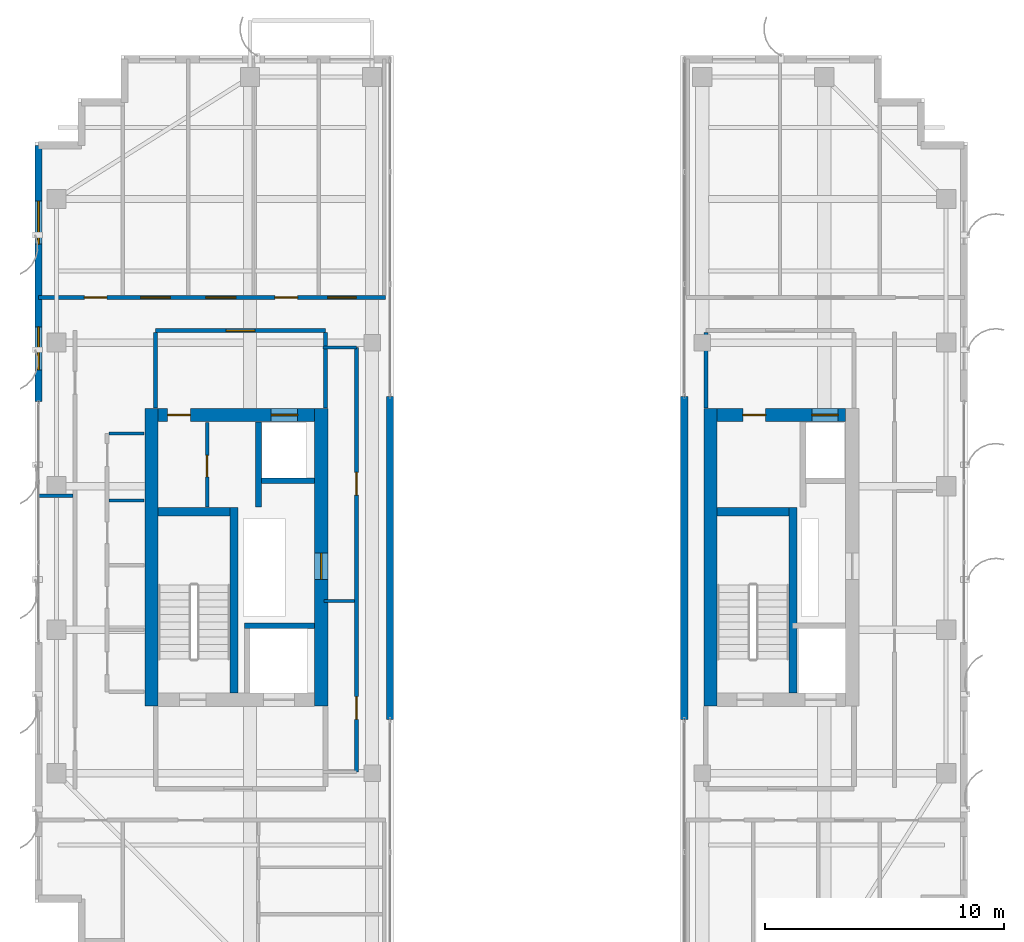
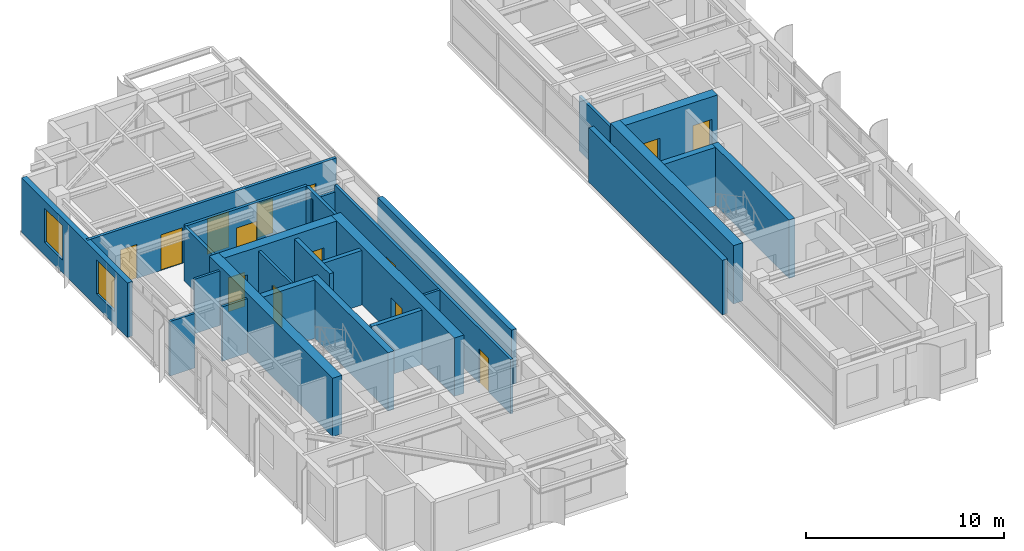
# One storey, part 18 of 22: 27 walls, 14 doors, 2 windows, 16 openings.
"""IFC4 building model written with IfcOpenShell, lengths in metres."""

from ifc_helpers import new_model, si_unit, direction, frame, frame_2d, origin, place, context, subcontext, project, spatial, rectangle, extrude, source, transform, mapped, material, layer, layer_set, type_object, element, fill, save


model = new_model("IFC4")

# Units and contexts
model_context = context("Model", 3, precision=1e-05, world=origin(), true_north=direction((0.0, 1.0)))
body_context = subcontext(model_context, "Body", "Model", "MODEL_VIEW")
ifc_project = project(units=[si_unit("LENGTHUNIT", "METRE"), si_unit("AREAUNIT", "SQUARE_METRE"), si_unit("VOLUMEUNIT", "CUBIC_METRE"), si_unit("PLANEANGLEUNIT", "RADIAN"), si_unit("MASSUNIT", "GRAM", prefix="KILO")], contexts=[model_context])

# Site, building, storey
site_placement = place(None, origin())
site = spatial("IfcSite", under=ifc_project, at=site_placement, CompositionType="ELEMENT")
building_placement = place(site_placement, origin())
building = spatial("IfcBuilding", under=site, at=building_placement, Name="Khoralis Quay Care Tower", CompositionType="ELEMENT")
storey_placement = place(building_placement, frame((0.0, 0.0, 256.5)))
storey = spatial("IfcBuildingStorey", under=building, at=storey_placement, Name="L67", CompositionType="ELEMENT", Elevation=256.5)

# Wall
ifc_material_1 = material(Name="Concrete C65/80", Category="concrete")
ifc_layer_1 = layer(ifc_material_1, 0.550048828125)
ifc_layer_set_1 = layer_set([ifc_layer_1], Name="Concrete C65/80")
wall_type_1 = type_object("IfcWallType", Name="WL-CORE-550", PredefinedType="SHEAR", material=ifc_layer_set_1)
wall_1_placement = place(storey_placement, frame((7.875, 14.800048828125, 0.0), z_axis=(0.0, 0.0, 1.0), x_axis=(0.0, 1.0, 0.0)))
element("IfcWall", 1, at=wall_1_placement, inside=storey, type_object=wall_type_1, Name="L67 WCORE West Shear Wall", PredefinedType="SHEAR", context=body_context, shape_type="SweptSolid", body=[
    extrude(rectangle(XDim=12.449951171875, YDim=0.550048828125, at=frame_2d((6.22509765625, 0.0))), origin(), (0.0, 0.0, 1.0), 3.60009765625),
])

# Wall, opening, door
wall_2_placement = place(storey_placement, frame((14.97509765625, 14.800048828125, 0.0), z_axis=(0.0, 0.0, 1.0), x_axis=(0.0, 1.0, 0.0)))
wall_2 = element("IfcWall", 2, at=wall_2_placement, inside=storey, type_object=wall_type_1, Name="L67 WCORE East Shear Wall", PredefinedType="SHEAR", context=body_context, shape_type="SweptSolid", body=[
    extrude(rectangle(XDim=12.449951171875, YDim=0.550048828125, at=frame_2d((6.22509765625, 0.0))), origin(), (0.0, 0.0, 1.0), 3.60009765625),
])
opening_1_placement = place(wall_2_placement, frame((5.300048828125, 0.0, 0.0)))
opening_1 = element("IfcOpeningElement", 3, at=opening_1_placement, cuts=wall_2, Name="Opening SD1", PredefinedType="OPENING", context=body_context, shape_type="SweptSolid", body=[
    extrude(rectangle(XDim=1.10009765625, YDim=2.199951171875, at=frame_2d((0.550048828125, 1.10009765625))), frame((0.0, 0.28515625, 0.0), z_axis=(0.0, -1.0, 0.0), x_axis=(1.0, 0.0, 0.0)), (0.0, 0.0, 1.0), 0.570068359375),
])
ifc_material_2 = material(Name="Fire-rated painted steel", Category="steel")
door_type_1 = type_object("IfcDoorType", Name="DR-STAIR-1100X2200", OperationType="NOTDEFINED", PredefinedType="DOOR", material=ifc_material_2)
shared_shape_1 = source(origin(), body_context, "Body", "SweptSolid", [
    extrude(rectangle(XDim=1.10009765625, YDim=2.199951171875, at=frame_2d((0.550048828125, 1.10009765625))), frame((0.0, 0.02490234375, 0.0), z_axis=(0.0, -1.0, 0.0), x_axis=(1.0, 0.0, 0.0)), (0.0, 0.0, 1.0), 0.050048828125),
])
door_1_placement = place(opening_1_placement, origin())
door_1 = element("IfcDoor", 4, at=door_1_placement, inside=storey, type_object=door_type_1, Name="L67 West MEP Riser Door", OperationType="SINGLE_SWING_LEFT", OverallHeight=2.199951171875, OverallWidth=1.10009765625, PredefinedType="DOOR", context=body_context, shape_type="MappedRepresentation", body=[
    mapped(shared_shape_1, transform((0.0, 0.0, 0.0), scale=1.0)),
])
fill(opening_1, door_1)

# Wall, openings, doors
wall_3_placement = place(storey_placement, frame((8.14990234375, 26.97509765625, 0.0), z_axis=(0.0, 0.0, 1.0), x_axis=(1.0, 0.0, 0.0)))
wall_3 = element("IfcWall", 5, at=wall_3_placement, inside=storey, type_object=wall_type_1, Name="L67 WCORE North Shear Wall", PredefinedType="SHEAR", context=body_context, shape_type="SweptSolid", body=[
    extrude(rectangle(XDim=6.550048828125, YDim=0.550048828125, at=frame_2d((3.27490234375, 0.0))), origin(), (0.0, 0.0, 1.0), 3.60009765625),
])
opening_2_placement = place(wall_3_placement, frame((0.39990234375, 0.0, 0.0)))
opening_2 = element("IfcOpeningElement", 6, at=opening_2_placement, cuts=wall_3, Name="Opening ID1", PredefinedType="OPENING", context=body_context, shape_type="SweptSolid", body=[
    extrude(rectangle(XDim=0.949951171875, YDim=2.10009765625, at=frame_2d((0.47509765625, 1.050048828125))), frame((0.0, 0.28515625, 0.0), z_axis=(0.0, -1.0, 0.0), x_axis=(1.0, 0.0, 0.0)), (0.0, 0.0, 1.0), 0.570068359375),
])
opening_3_placement = place(wall_3_placement, frame((4.72998046875, 0.0, 0.0)))
opening_3 = element("IfcOpeningElement", 7, at=opening_3_placement, cuts=wall_3, Name="Opening LD1", PredefinedType="OPENING", context=body_context, shape_type="SweptSolid", body=[
    extrude(rectangle(XDim=1.10009765625, YDim=2.199951171875, at=frame_2d((0.550048828125, 1.10009765625))), frame((0.0, 0.28515625, 0.0), z_axis=(0.0, -1.0, 0.0), x_axis=(1.0, 0.0, 0.0)), (0.0, 0.0, 1.0), 0.570068359375),
])
ifc_material_3 = material(Name="Brushed stainless steel", Category="steel")
door_type_2 = type_object("IfcDoorType", Name="DR-LIFT-1100X2200", OperationType="SLIDING_TO_LEFT", PredefinedType="DOOR", material=ifc_material_3)
shared_shape_2 = source(origin(), body_context, "Body", "SweptSolid", [
    extrude(rectangle(XDim=1.10009765625, YDim=2.199951171875, at=frame_2d((0.550048828125, 1.10009765625))), frame((0.0, 0.02490234375, 0.0), z_axis=(0.0, -1.0, 0.0), x_axis=(1.0, 0.0, 0.0)), (0.0, 0.0, 1.0), 0.050048828125),
])
door_2_placement = place(opening_3_placement, origin())
door_2 = element("IfcDoor", 8, at=door_2_placement, inside=storey, type_object=door_type_2, Name="L67 Lift PLH1 Landing Door", OperationType="SLIDING_TO_LEFT", OverallHeight=2.199951171875, OverallWidth=1.10009765625, PredefinedType="DOOR", context=body_context, shape_type="MappedRepresentation", body=[
    mapped(shared_shape_2, transform((0.0, 0.0, 0.0), scale=1.0)),
])
fill(opening_3, door_2)
ifc_material_4 = material(Name="Acoustic hardwood timber", Category="wood")
door_type_3 = type_object("IfcDoorType", Name="DR-ROOM-950X2100", OperationType="NOTDEFINED", PredefinedType="DOOR", material=ifc_material_4)
shared_shape_3 = source(origin(), body_context, "Body", "SweptSolid", [
    extrude(rectangle(XDim=0.949951171875, YDim=2.10009765625, at=frame_2d((0.47509765625, 1.050048828125))), frame((0.0, 0.02490234375, 0.0), z_axis=(0.0, -1.0, 0.0), x_axis=(1.0, 0.0, 0.0)), (0.0, 0.0, 1.0), 0.050048828125),
])
door_3_placement = place(opening_2_placement, frame((0.949951171875, 0.0, 0.0), z_axis=(0.0, 0.0, 1.0), x_axis=(-1.0, 0.0, 0.0)))
door_3 = element("IfcDoor", 9, at=door_3_placement, inside=storey, type_object=door_type_3, Name="L67 Telemetry Study Door", OperationType="SINGLE_SWING_LEFT", OverallHeight=2.10009765625, OverallWidth=0.949951171875, PredefinedType="DOOR", context=body_context, shape_type="MappedRepresentation", body=[
    mapped(shared_shape_3, transform((0.0, 0.0, 0.0), scale=1.0)),
])
fill(opening_2, door_3)

# Wall
wall_4_placement = place(storey_placement, frame((31.2451171875, 14.800048828125, 0.0), z_axis=(0.0, 0.0, 1.0), x_axis=(0.0, 1.0, 0.0)))
element("IfcWall", 10, at=wall_4_placement, inside=storey, type_object=wall_type_1, Name="L67 ECORE West Shear Wall", PredefinedType="SHEAR", context=body_context, shape_type="SweptSolid", body=[
    extrude(rectangle(XDim=12.449951171875, YDim=0.550048828125, at=frame_2d((6.22509765625, 0.0))), origin(), (0.0, 0.0, 1.0), 3.60009765625),
])

# Wall, openings, doors
wall_5_placement = place(storey_placement, frame((31.52001953125, 26.97509765625, 0.0), z_axis=(0.0, 0.0, 1.0), x_axis=(1.0, 0.0, 0.0)))
wall_5 = element("IfcWall", 11, at=wall_5_placement, inside=storey, type_object=wall_type_1, Name="L67 ECORE North Shear Wall", PredefinedType="SHEAR", context=body_context, shape_type="SweptSolid", body=[
    extrude(rectangle(XDim=5.3798828125, YDim=0.550048828125, at=frame_2d((2.68994140625, 0.0))), origin(), (0.0, 0.0, 1.0), 3.60009765625),
])
opening_4_placement = place(wall_5_placement, frame((1.080078125, 0.0, 0.0)))
opening_4 = element("IfcOpeningElement", 12, at=opening_4_placement, cuts=wall_5, Name="Opening ID1", PredefinedType="OPENING", context=body_context, shape_type="SweptSolid", body=[
    extrude(rectangle(XDim=0.949951171875, YDim=2.10009765625, at=frame_2d((0.47509765625, 1.050048828125))), frame((0.0, 0.28515625, 0.0), z_axis=(0.0, -1.0, 0.0), x_axis=(1.0, 0.0, 0.0)), (0.0, 0.0, 1.0), 0.570068359375),
])
opening_5_placement = place(wall_5_placement, frame((3.9599609375, 0.0, 0.0)))
opening_5 = element("IfcOpeningElement", 13, at=opening_5_placement, cuts=wall_5, Name="Opening LD1", PredefinedType="OPENING", context=body_context, shape_type="SweptSolid", body=[
    extrude(rectangle(XDim=1.10009765625, YDim=2.199951171875, at=frame_2d((0.550048828125, 1.10009765625))), frame((0.0, 0.28515625, 0.0), z_axis=(0.0, -1.0, 0.0), x_axis=(1.0, 0.0, 0.0)), (0.0, 0.0, 1.0), 0.570068359375),
])
door_4_placement = place(opening_5_placement, origin())
door_4 = element("IfcDoor", 14, at=door_4_placement, inside=storey, type_object=door_type_2, Name="L67 Lift PLH2 Landing Door", OperationType="SLIDING_TO_LEFT", OverallHeight=2.199951171875, OverallWidth=1.10009765625, PredefinedType="DOOR", context=body_context, shape_type="MappedRepresentation", body=[
    mapped(shared_shape_2, transform((0.0, 0.0, 0.0), scale=1.0)),
])
fill(opening_5, door_4)
door_5_placement = place(opening_4_placement, frame((0.949951171875, 0.0, 0.0), z_axis=(0.0, 0.0, 1.0), x_axis=(-1.0, 0.0, 0.0)))
door_5 = element("IfcDoor", 15, at=door_5_placement, inside=storey, type_object=door_type_3, Name="L67 Rehab Gym Door", OperationType="SINGLE_SWING_RIGHT", OverallHeight=2.10009765625, OverallWidth=0.949951171875, PredefinedType="DOOR", context=body_context, shape_type="MappedRepresentation", body=[
    mapped(shared_shape_3, transform((0.0, 0.0, 0.0), scale=1.0)),
])
fill(opening_4, door_5)

# Wall, opening, door
ifc_material_5 = material(Name="Gypsum plasterboard on acoustic metal stud")
ifc_layer_2 = layer(ifc_material_5, 0.1650390625)
ifc_layer_set_2 = layer_set([ifc_layer_2], Name="Gypsum plasterboard on acoustic metal stud")
wall_type_2 = type_object("IfcWallType", Name="WL-CORR-165", PredefinedType="PARTITIONING", material=ifc_layer_set_2)
wall_6_placement = place(storey_placement, frame((8.050048828125, 30.5, 0.0), z_axis=(0.0, 0.0, 1.0), x_axis=(1.0, 0.0, 0.0)))
wall_6 = element("IfcWall", 16, at=wall_6_placement, inside=storey, type_object=wall_type_2, Name="L67 West Lift Lobby North Wall", PredefinedType="PARTITIONING", context=body_context, shape_type="SweptSolid", body=[
    extrude(rectangle(XDim=7.099853515625, YDim=0.1650390625, at=frame_2d((3.5498046875, 0.0))), origin(), (0.0, 0.0, 1.0), 3.360107421875),
])
opening_6_placement = place(wall_6_placement, frame((2.949951171875, 0.0, 0.0)))
opening_6 = element("IfcOpeningElement", 17, at=opening_6_placement, cuts=wall_6, Name="Opening FD1", PredefinedType="OPENING", context=body_context, shape_type="SweptSolid", body=[
    extrude(rectangle(XDim=1.199951171875, YDim=2.199951171875, at=frame_2d((0.60009765625, 1.10009765625))), frame((0.0, 0.092529296875, 0.0), z_axis=(0.0, -1.0, 0.0), x_axis=(1.0, 0.0, 0.0)), (0.0, 0.0, 1.0), 0.18505859375),
])
door_type_4 = type_object("IfcDoorType", Name="DR-FFL-1200X2200", OperationType="NOTDEFINED", PredefinedType="DOOR", material=ifc_material_2)
shared_shape_4 = source(origin(), body_context, "Body", "SweptSolid", [
    extrude(rectangle(XDim=1.199951171875, YDim=2.199951171875, at=frame_2d((0.60009765625, 1.10009765625))), frame((0.0, 0.02490234375, 0.0), z_axis=(0.0, -1.0, 0.0), x_axis=(1.0, 0.0, 0.0)), (0.0, 0.0, 1.0), 0.050048828125),
])
door_6_placement = place(opening_6_placement, origin())
door_6 = element("IfcDoor", 18, at=door_6_placement, inside=storey, type_object=door_type_4, Name="L67 West Lift Lobby Double Door", OperationType="DOUBLE_DOOR_SINGLE_SWING", OverallHeight=2.199951171875, OverallWidth=1.199951171875, PredefinedType="DOOR", context=body_context, shape_type="MappedRepresentation", body=[
    mapped(shared_shape_4, transform((0.0, 0.0, 0.0), scale=1.0)),
])
fill(opening_6, door_6)

# Walls
for number, where, z_axis, x_axis, name in (
    (19, (8.050048828125, 27.27001953125, 0.0), (0.0, 0.0, 1.0), (0.0, 1.0, 0.0), "L67 West Lift Lobby West Wall"),
    (20, (15.14990234375, 27.27001953125, 0.0), (0.0, 0.0, 1.0), (0.0, 1.0, 0.0), "L67 West Lift Lobby East Wall"),
    (21, (31.050048828125, 27.27001953125, 0.0), (0.0, 0.0, 1.0), (0.0, 1.0, 0.0), "L67 East Lift Lobby West Wall"),
):
    element("IfcWall", number, at=place(storey_placement, frame(where, z_axis=z_axis, x_axis=x_axis)), inside=storey, type_object=wall_type_2, Name=name, PredefinedType="PARTITIONING", context=body_context, shape_type="SweptSolid", body=[
        extrude(rectangle(XDim=3.152587890625, YDim=0.1650390625, at=frame_2d((1.576171875, 0.0))), origin(), (0.0, 0.0, 1.0), 3.360107421875),
    ])

# Wall, openings, doors
wall_7_placement = place(storey_placement, frame((3.14501953125, 31.889892578125, 0.0), z_axis=(0.0, 0.0, 1.0), x_axis=(1.0, 0.0, 0.0)))
wall_7 = element("IfcWall", 22, at=wall_7_placement, inside=storey, type_object=wall_type_2, Name="L67 West Wing North Corridor Wall", PredefinedType="PARTITIONING", context=body_context, shape_type="SweptSolid", body=[
    extrude(rectangle(XDim=14.5048828125, YDim=0.1650390625, at=frame_2d((7.25244140625, 0.0))), origin(), (0.0, 0.0, 1.0), 3.360107421875),
])
opening_7_placement = place(wall_7_placement, frame((4.27490234375, 0.0, 0.0)))
opening_7 = element("IfcOpeningElement", 23, at=opening_7_placement, cuts=wall_7, Name="Opening CD1", PredefinedType="OPENING", context=body_context, shape_type="SweptSolid", body=[
    extrude(rectangle(XDim=1.25, YDim=2.199951171875, at=frame_2d((0.625, 1.10009765625))), frame((0.0, 0.092529296875, 0.0), z_axis=(0.0, -1.0, 0.0), x_axis=(1.0, 0.0, 0.0)), (0.0, 0.0, 1.0), 0.18505859375),
])
opening_8_placement = place(wall_7_placement, frame((7.0048828125, 0.0, 0.0)))
opening_8 = element("IfcOpeningElement", 24, at=opening_8_placement, cuts=wall_7, Name="Opening CD1", PredefinedType="OPENING", context=body_context, shape_type="SweptSolid", body=[
    extrude(rectangle(XDim=1.25, YDim=2.199951171875, at=frame_2d((0.625, 1.10009765625))), frame((0.0, 0.092529296875, 0.0), z_axis=(0.0, -1.0, 0.0), x_axis=(1.0, 0.0, 0.0)), (0.0, 0.0, 1.0), 0.18505859375),
])
opening_9_placement = place(wall_7_placement, frame((9.885009765625, 0.0, 0.0)))
opening_9 = element("IfcOpeningElement", 25, at=opening_9_placement, cuts=wall_7, Name="Opening ID1", PredefinedType="OPENING", context=body_context, shape_type="SweptSolid", body=[
    extrude(rectangle(XDim=0.949951171875, YDim=2.10009765625, at=frame_2d((0.47509765625, 1.050048828125))), frame((0.0, 0.092529296875, 0.0), z_axis=(0.0, -1.0, 0.0), x_axis=(1.0, 0.0, 0.0)), (0.0, 0.0, 1.0), 0.18505859375),
])
opening_10_placement = place(wall_7_placement, frame((12.090087890625, 0.0, 0.0)))
opening_10 = element("IfcOpeningElement", 26, at=opening_10_placement, cuts=wall_7, Name="Opening FD1", PredefinedType="OPENING", context=body_context, shape_type="SweptSolid", body=[
    extrude(rectangle(XDim=1.199951171875, YDim=2.199951171875, at=frame_2d((0.60009765625, 1.10009765625))), frame((0.0, 0.092529296875, 0.0), z_axis=(0.0, -1.0, 0.0), x_axis=(1.0, 0.0, 0.0)), (0.0, 0.0, 1.0), 0.18505859375),
])
opening_11_placement = place(wall_7_placement, frame((1.919921875, 0.0, 0.0)))
opening_11 = element("IfcOpeningElement", 27, at=opening_11_placement, cuts=wall_7, Name="Opening ID1", PredefinedType="OPENING", context=body_context, shape_type="SweptSolid", body=[
    extrude(rectangle(XDim=0.949951171875, YDim=2.10009765625, at=frame_2d((0.47509765625, 1.050048828125))), frame((0.0, 0.092529296875, 0.0), z_axis=(0.0, -1.0, 0.0), x_axis=(1.0, 0.0, 0.0)), (0.0, 0.0, 1.0), 0.18505859375),
])
door_7_placement = place(opening_10_placement, origin())
door_7 = element("IfcDoor", 28, at=door_7_placement, inside=storey, type_object=door_type_4, Name="L67 Resident Communal Day Lounge Door", OperationType="DOUBLE_DOOR_SINGLE_SWING", OverallHeight=2.199951171875, OverallWidth=1.199951171875, PredefinedType="DOOR", context=body_context, shape_type="MappedRepresentation", body=[
    mapped(shared_shape_4, transform((0.0, 0.0, 0.0), scale=1.0)),
])
fill(opening_10, door_7)
door_type_5 = type_object("IfcDoorType", Name="DR-CARE-1250X2200", OperationType="NOTDEFINED", PredefinedType="DOOR", material=ifc_material_4)
shared_shape_5 = source(origin(), body_context, "Body", "SweptSolid", [
    extrude(rectangle(XDim=1.25, YDim=2.199951171875, at=frame_2d((0.625, 1.10009765625))), frame((0.0, 0.02490234375, 0.0), z_axis=(0.0, -1.0, 0.0), x_axis=(1.0, 0.0, 0.0)), (0.0, 0.0, 1.0), 0.050048828125),
])
door_8_placement = place(opening_7_placement, origin())
door_8 = element("IfcDoor", 29, at=door_8_placement, inside=storey, type_object=door_type_5, Name="L67 Geriatric Consultation Clinic Door", OperationType="SINGLE_SWING_RIGHT", OverallHeight=2.199951171875, OverallWidth=1.25, PredefinedType="DOOR", context=body_context, shape_type="MappedRepresentation", body=[
    mapped(shared_shape_5, transform((0.0, 0.0, 0.0), scale=1.0)),
])
fill(opening_7, door_8)
door_9_placement = place(opening_8_placement, origin())
door_9 = element("IfcDoor", 30, at=door_9_placement, inside=storey, type_object=door_type_5, Name="L67 Physiotherapy Treatment Clinic Door", OperationType="SINGLE_SWING_LEFT", OverallHeight=2.199951171875, OverallWidth=1.25, PredefinedType="DOOR", context=body_context, shape_type="MappedRepresentation", body=[
    mapped(shared_shape_5, transform((0.0, 0.0, 0.0), scale=1.0)),
])
fill(opening_8, door_9)
door_10_placement = place(opening_9_placement, origin())
door_10 = element("IfcDoor", 31, at=door_10_placement, inside=storey, type_object=door_type_3, Name="L67 Care Coordination Office Door", OperationType="SINGLE_SWING_LEFT", OverallHeight=2.10009765625, OverallWidth=0.949951171875, PredefinedType="DOOR", context=body_context, shape_type="MappedRepresentation", body=[
    mapped(shared_shape_3, transform((0.0, 0.0, 0.0), scale=1.0)),
])
fill(opening_9, door_10)
door_11_placement = place(opening_11_placement, origin())
door_11 = element("IfcDoor", 32, at=door_11_placement, inside=storey, type_object=door_type_3, Name="L67 NW Corner Door", OperationType="SINGLE_SWING_RIGHT", OverallHeight=2.10009765625, OverallWidth=0.949951171875, PredefinedType="DOOR", context=body_context, shape_type="MappedRepresentation", body=[
    mapped(shared_shape_3, transform((0.0, 0.0, 0.0), scale=1.0)),
])
fill(opening_11, door_11)

wall_8_placement = place(storey_placement, frame((16.449951171875, 12.050048828125, 0.0), z_axis=(0.0, 0.0, 1.0), x_axis=(0.0, 1.0, 0.0)))
wall_8 = element("IfcWall", 33, at=wall_8_placement, inside=storey, type_object=wall_type_2, Name="L67 Portal Gallery Wall", PredefinedType="PARTITIONING", context=body_context, shape_type="SweptSolid", body=[
    extrude(rectangle(XDim=17.75, YDim=0.1650390625, at=frame_2d((8.875, 0.0))), origin(), (0.0, 0.0, 1.0), 3.360107421875),
])
opening_12_placement = place(wall_8_placement, frame((2.199951171875, 0.0, 0.0)))
opening_12 = element("IfcOpeningElement", 34, at=opening_12_placement, cuts=wall_8, Name="Opening ID1", PredefinedType="OPENING", context=body_context, shape_type="SweptSolid", body=[
    extrude(rectangle(XDim=0.949951171875, YDim=2.10009765625, at=frame_2d((0.47509765625, 1.050048828125))), frame((0.0, 0.092529296875, 0.0), z_axis=(0.0, -1.0, 0.0), x_axis=(1.0, 0.0, 0.0)), (0.0, 0.0, 1.0), 0.18505859375),
])
opening_13_placement = place(wall_8_placement, frame((11.574951171875, 0.0, 0.0)))
opening_13 = element("IfcOpeningElement", 35, at=opening_13_placement, cuts=wall_8, Name="Opening ID1", PredefinedType="OPENING", context=body_context, shape_type="SweptSolid", body=[
    extrude(rectangle(XDim=0.949951171875, YDim=2.10009765625, at=frame_2d((0.47509765625, 1.050048828125))), frame((0.0, 0.092529296875, 0.0), z_axis=(0.0, -1.0, 0.0), x_axis=(1.0, 0.0, 0.0)), (0.0, 0.0, 1.0), 0.18505859375),
])
door_12_placement = place(opening_12_placement, frame((0.949951171875, 0.0, 0.0), z_axis=(0.0, 0.0, 1.0), x_axis=(-1.0, 0.0, 0.0)))
door_12 = element("IfcDoor", 36, at=door_12_placement, inside=storey, type_object=door_type_3, Name="L67 Portal Lounge Door", OperationType="SINGLE_SWING_LEFT", OverallHeight=2.10009765625, OverallWidth=0.949951171875, PredefinedType="DOOR", context=body_context, shape_type="MappedRepresentation", body=[
    mapped(shared_shape_3, transform((0.0, 0.0, 0.0), scale=1.0)),
])
fill(opening_12, door_12)
door_13_placement = place(opening_13_placement, frame((0.949951171875, 0.0, 0.0), z_axis=(0.0, 0.0, 1.0), x_axis=(-1.0, 0.0, 0.0)))
door_13 = element("IfcDoor", 37, at=door_13_placement, inside=storey, type_object=door_type_3, Name="L67 Portal Office Door", OperationType="SINGLE_SWING_RIGHT", OverallHeight=2.10009765625, OverallWidth=0.949951171875, PredefinedType="DOOR", context=body_context, shape_type="MappedRepresentation", body=[
    mapped(shared_shape_3, transform((0.0, 0.0, 0.0), scale=1.0)),
])
fill(opening_13, door_13)

# Wall
ifc_material_6 = material(Name="Precast concrete C45/55", Category="concrete")
ifc_layer_3 = layer(ifc_material_6, 0.300048828125)
ifc_layer_set_3 = layer_set([ifc_layer_3], Name="Precast concrete C45/55")
wall_type_3 = type_object("IfcWallType", Name="WL-EXT-REF-300", PredefinedType="SOLIDWALL", material=ifc_layer_set_3)
wall_9_placement = place(storey_placement, frame((17.85009765625, 14.25, 0.0), z_axis=(0.0, 0.0, 1.0), x_axis=(0.0, 1.0, 0.0)))
element("IfcWall", 38, at=wall_9_placement, inside=storey, type_object=wall_type_3, Name="L67 External Facade Wall WL-VP-L67-P1-M", PredefinedType="SOLIDWALL", context=body_context, shape_type="SweptSolid", body=[
    extrude(rectangle(XDim=13.5, YDim=0.300048828125, at=frame_2d((6.75, 0.0))), origin(), (0.0, 0.0, 1.0), 3.360107421875),
])

# Wall, openings, windows
wall_10_placement = place(storey_placement, frame((3.14990234375, 38.25, 0.0), z_axis=(0.0, 0.0, 1.0), x_axis=(0.0, -1.0, 0.0)))
wall_10 = element("IfcWall", 39, at=wall_10_placement, inside=storey, type_object=wall_type_3, Name="L67 External Facade Wall WL-EXT-L67-P1-E7A", PredefinedType="SOLIDWALL", context=body_context, shape_type="SweptSolid", body=[
    extrude(rectangle(XDim=10.7099609375, YDim=0.300048828125, at=frame_2d((5.35498046875, 0.0))), origin(), (0.0, 0.0, 1.0), 3.360107421875),
])
opening_14_placement = place(wall_10_placement, frame((2.330078125, 0.0, 0.800048828125)))
opening_14 = element("IfcOpeningElement", 40, at=opening_14_placement, cuts=wall_10, Name="Opening W2", PredefinedType="OPENING", context=body_context, shape_type="SweptSolid", body=[
    extrude(rectangle(XDim=1.800048828125, YDim=2.10009765625, at=frame_2d((0.89990234375, 1.050048828125))), frame((0.0, 0.16015625, 0.0), z_axis=(0.0, -1.0, 0.0), x_axis=(1.0, 0.0, 0.0)), (0.0, 0.0, 1.0), 0.320068359375),
])
opening_15_placement = place(wall_10_placement, frame((7.5849609375, 0.0, 0.800048828125)))
opening_15 = element("IfcOpeningElement", 41, at=opening_15_placement, cuts=wall_10, Name="Opening W2", PredefinedType="OPENING", context=body_context, shape_type="SweptSolid", body=[
    extrude(rectangle(XDim=1.800048828125, YDim=2.10009765625, at=frame_2d((0.89990234375, 1.050048828125))), frame((0.0, 0.16015625, 0.0), z_axis=(0.0, -1.0, 0.0), x_axis=(1.0, 0.0, 0.0)), (0.0, 0.0, 1.0), 0.320068359375),
])
ifc_material_7 = material(Name="Low-E solar-control double glazing", Category="glass")
window_type = type_object("IfcWindowType", Name="WN-POD-1800X2100", PartitioningType="SINGLE_PANEL", PredefinedType="WINDOW", material=ifc_material_7)
shared_shape_6 = source(origin(), body_context, "Body", "SweptSolid", [
    extrude(rectangle(XDim=1.800048828125, YDim=2.10009765625, at=frame_2d((0.89990234375, 1.050048828125))), frame((0.0, 0.030029296875, 0.0), z_axis=(0.0, -1.0, 0.0), x_axis=(1.0, 0.0, 0.0)), (0.0, 0.0, 1.0), 0.06005859375),
])
window_1_placement = place(opening_14_placement, origin())
window_1 = element("IfcWindow", 42, at=window_1_placement, inside=storey, type_object=window_type, Name="WN-L67-P1-E7A Facade Window 01", OverallHeight=2.10009765625, OverallWidth=1.800048828125, PartitioningType="SINGLE_PANEL", PredefinedType="WINDOW", context=body_context, shape_type="MappedRepresentation", body=[
    mapped(shared_shape_6, transform((0.0, 0.0, 0.0), scale=1.0)),
])
fill(opening_14, window_1)
window_2_placement = place(opening_15_placement, origin())
window_2 = element("IfcWindow", 43, at=window_2_placement, inside=storey, type_object=window_type, Name="WN-L67-P1-E7A Facade Window 02", OverallHeight=2.10009765625, OverallWidth=1.800048828125, PartitioningType="SINGLE_PANEL", PredefinedType="WINDOW", context=body_context, shape_type="MappedRepresentation", body=[
    mapped(shared_shape_6, transform((0.0, 0.0, 0.0), scale=1.0)),
])
fill(opening_15, window_2)

# Walls
wall_11_placement = place(storey_placement, frame((30.14990234375, 14.25, 0.0), z_axis=(0.0, 0.0, 1.0), x_axis=(0.0, 1.0, 0.0)))
element("IfcWall", 44, at=wall_11_placement, inside=storey, type_object=wall_type_3, Name="L67 External Facade Wall WL-VP-L67-P2-M", PredefinedType="SOLIDWALL", context=body_context, shape_type="SweptSolid", body=[
    extrude(rectangle(XDim=13.5, YDim=0.300048828125, at=frame_2d((6.75, 0.0))), origin(), (0.0, 0.0, 1.0), 3.360107421875),
])
ifc_material_8 = material(Name="Concrete C40/50", Category="concrete")
ifc_layer_4 = layer(ifc_material_8, 0.35009765625)
ifc_layer_set_4 = layer_set([ifc_layer_4], Name="Concrete C40/50")
wall_type_4 = type_object("IfcWallType", Name="WL-SC-CORE-350", PredefinedType="SHEAR", material=ifc_layer_set_4)
wall_12_placement = place(storey_placement, frame((11.324951171875, 15.35009765625, 0.0), z_axis=(0.0, 0.0, 1.0), x_axis=(0.0, 1.0, 0.0)))
element("IfcWall", 45, at=wall_12_placement, inside=storey, type_object=wall_type_4, Name="L67 Stair ST-T1 Shear Baffle Wall East", PredefinedType="SHEAR", context=body_context, shape_type="SweptSolid", body=[
    extrude(rectangle(XDim=7.75, YDim=0.35009765625, at=frame_2d((3.875, 0.0))), origin(), (0.0, 0.0, 1.0), 3.60009765625),
])
wall_13_placement = place(storey_placement, frame((8.14990234375, 22.925048828125, 0.0), z_axis=(0.0, 0.0, 1.0), x_axis=(1.0, 0.0, 0.0)))
element("IfcWall", 46, at=wall_13_placement, inside=storey, type_object=wall_type_4, Name="L67 Stair ST-T1 Shear Baffle Wall North", PredefinedType="SHEAR", context=body_context, shape_type="SweptSolid", body=[
    extrude(rectangle(XDim=3.0, YDim=0.35009765625, at=frame_2d((1.5, 0.0))), origin(), (0.0, 0.0, 1.0), 3.60009765625),
])
wall_14_placement = place(storey_placement, frame((34.695068359375, 15.35009765625, 0.0), z_axis=(0.0, 0.0, 1.0), x_axis=(0.0, 1.0, 0.0)))
element("IfcWall", 47, at=wall_14_placement, inside=storey, type_object=wall_type_4, Name="L67 Stair ST-T2 Shear Baffle Wall East", PredefinedType="SHEAR", context=body_context, shape_type="SweptSolid", body=[
    extrude(rectangle(XDim=7.75, YDim=0.35009765625, at=frame_2d((3.875, 0.0))), origin(), (0.0, 0.0, 1.0), 3.60009765625),
])
wall_15_placement = place(storey_placement, frame((31.52001953125, 22.925048828125, 0.0), z_axis=(0.0, 0.0, 1.0), x_axis=(1.0, 0.0, 0.0)))
element("IfcWall", 48, at=wall_15_placement, inside=storey, type_object=wall_type_4, Name="L67 Stair ST-T2 Shear Baffle Wall North", PredefinedType="SHEAR", context=body_context, shape_type="SweptSolid", body=[
    extrude(rectangle(XDim=3.0, YDim=0.35009765625, at=frame_2d((1.5, 0.0))), origin(), (0.0, 0.0, 1.0), 3.60009765625),
])
ifc_layer_5 = layer(ifc_material_5, 0.239990234375)
ifc_layer_set_5 = layer_set([ifc_layer_5], Name="Gypsum plasterboard on acoustic metal stud")
wall_type_5 = type_object("IfcWallType", Name="WL-SHAFT-240", PredefinedType="PARTITIONING", material=ifc_layer_set_5)
wall_16_placement = place(storey_placement, frame((11.760009765625, 18.169921875, 0.0), z_axis=(0.0, 0.0, 1.0), x_axis=(1.0, 0.0, 0.0)))
element("IfcWall", 49, at=wall_16_placement, inside=storey, type_object=wall_type_5, Name="L67 FFL-1 Shaft Wall North", PredefinedType="PARTITIONING", context=body_context, shape_type="SweptSolid", body=[
    extrude(rectangle(XDim=2.919921875, YDim=0.239990234375, at=frame_2d((1.4599609375, 0.0))), origin(), (0.0, 0.0, 1.0), 3.360107421875),
])
wall_17_placement = place(storey_placement, frame((12.35009765625, 23.139892578125, 0.0), z_axis=(0.0, 0.0, 1.0), x_axis=(0.0, 1.0, 0.0)))
element("IfcWall", 50, at=wall_17_placement, inside=storey, type_object=wall_type_5, Name="L67 High-Rise Reclaimed Bay Wall West", PredefinedType="PARTITIONING", context=body_context, shape_type="SweptSolid", body=[
    extrude(rectangle(XDim=3.5400390625, YDim=0.239990234375, at=frame_2d((1.77001953125, 0.0))), origin(), (0.0, 0.0, 1.0), 3.360107421875),
])
wall_18_placement = place(storey_placement, frame((12.465087890625, 24.22998046875, 0.0), z_axis=(0.0, 0.0, 1.0), x_axis=(1.0, 0.0, 0.0)))
element("IfcWall", 51, at=wall_18_placement, inside=storey, type_object=wall_type_5, Name="L67 High-Rise Shaft South Wall West", PredefinedType="PARTITIONING", context=body_context, shape_type="SweptSolid", body=[
    extrude(rectangle(XDim=2.21484375, YDim=0.239990234375, at=frame_2d((1.107421875, 0.0))), origin(), (0.0, 0.0, 1.0), 3.360107421875),
])

# Wall, opening, door
ifc_layer_6 = layer(ifc_material_5, 0.139892578125)
ifc_layer_set_6 = layer_set([ifc_layer_6], Name="Gypsum plasterboard on acoustic metal stud")
wall_type_6 = type_object("IfcWallType", Name="WL-UNIT-140", PredefinedType="PARTITIONING", material=ifc_layer_set_6)
wall_19_placement = place(storey_placement, frame((10.199951171875, 23.139892578125, 0.0), z_axis=(0.0, 0.0, 1.0), x_axis=(0.0, 1.0, 0.0)))
wall_19 = element("IfcWall", 52, at=wall_19_placement, inside=storey, type_object=wall_type_6, Name="L67 High-Rise West Core Split V", PredefinedType="PARTITIONING", context=body_context, shape_type="SweptSolid", body=[
    extrude(rectangle(XDim=3.52001953125, YDim=0.139892578125, at=frame_2d((1.760009765625, 0.0))), origin(), (0.0, 0.0, 1.0), 3.360107421875),
])
opening_16_placement = place(wall_19_placement, frame((1.25, 0.0, 0.0)))
opening_16 = element("IfcOpeningElement", 53, at=opening_16_placement, cuts=wall_19, Name="Opening WD1", PredefinedType="OPENING", context=body_context, shape_type="SweptSolid", body=[
    extrude(rectangle(XDim=0.89990234375, YDim=2.10009765625, at=frame_2d((0.449951171875, 1.050048828125))), frame((0.0, 0.080078125, 0.0), z_axis=(0.0, -1.0, 0.0), x_axis=(1.0, 0.0, 0.0)), (0.0, 0.0, 1.0), 0.159912109375),
])
door_type_6 = type_object("IfcDoorType", Name="DR-BATH-900X2100", OperationType="NOTDEFINED", PredefinedType="DOOR", material=ifc_material_4)
shared_shape_7 = source(origin(), body_context, "Body", "SweptSolid", [
    extrude(rectangle(XDim=0.89990234375, YDim=2.10009765625, at=frame_2d((0.449951171875, 1.050048828125))), frame((0.0, 0.02490234375, 0.0), z_axis=(0.0, -1.0, 0.0), x_axis=(1.0, 0.0, 0.0)), (0.0, 0.0, 1.0), 0.050048828125),
])
door_14_placement = place(opening_16_placement, frame((0.89990234375, 0.0, 0.0), z_axis=(0.0, 0.0, 1.0), x_axis=(-1.0, 0.0, 0.0)))
door_14 = element("IfcDoor", 54, at=door_14_placement, inside=storey, type_object=door_type_6, Name="L67 Linen Store Door", OperationType="SINGLE_SWING_LEFT", OverallHeight=2.10009765625, OverallWidth=0.89990234375, PredefinedType="DOOR", context=body_context, shape_type="MappedRepresentation", body=[
    mapped(shared_shape_7, transform((0.0, 0.0, 0.0), scale=1.0)),
])
fill(opening_16, door_14)

# Walls
for number, where, z_axis, x_axis, name in (
    (55, (6.097412109375, 26.199951171875, 0.0), (0.0, 0.0, 1.0), (1.0, 0.0, 0.0), "L67 West Flank North Cap"),
    (56, (6.097412109375, 23.39990234375, 0.0), (0.0, 0.0, 1.0), (1.0, 0.0, 0.0), "L67 West Flank Divider 3"),
):
    element("IfcWall", number, at=place(storey_placement, frame(where, z_axis=z_axis, x_axis=x_axis)), inside=storey, type_object=wall_type_6, Name=name, PredefinedType="PARTITIONING", context=body_context, shape_type="SweptSolid", body=[
        extrude(rectangle(XDim=1.462646484375, YDim=0.139892578125, at=frame_2d((0.7314453125, 0.0))), origin(), (0.0, 0.0, 1.0), 3.360107421875),
    ])
wall_20_placement = place(storey_placement, frame((3.14501953125, 23.60009765625, 0.0), z_axis=(0.0, 0.0, 1.0), x_axis=(1.0, 0.0, 0.0)))
element("IfcWall", 57, at=wall_20_placement, inside=storey, type_object=wall_type_6, Name="L67 West Mid Split", PredefinedType="PARTITIONING", context=body_context, shape_type="SweptSolid", body=[
    extrude(rectangle(XDim=1.45751953125, YDim=0.139892578125, at=frame_2d((0.728759765625, 0.0))), origin(), (0.0, 0.0, 1.0), 3.360107421875),
])
wall_21_placement = place(storey_placement, frame((15.080078125, 19.199951171875, 0.0), z_axis=(0.0, 0.0, 1.0), x_axis=(1.0, 0.0, 0.0)))
element("IfcWall", 58, at=wall_21_placement, inside=storey, type_object=wall_type_6, Name="L67 Portal Lounge Divider", PredefinedType="PARTITIONING", context=body_context, shape_type="SweptSolid", body=[
    extrude(rectangle(XDim=1.29248046875, YDim=0.139892578125, at=frame_2d((0.646240234375, 0.0))), origin(), (0.0, 0.0, 1.0), 3.360107421875),
])
wall_22_placement = place(storey_placement, frame((15.050048828125, 29.800048828125, 0.0), z_axis=(0.0, 0.0, 1.0), x_axis=(1.0, 0.0, 0.0)))
element("IfcWall", 59, at=wall_22_placement, inside=storey, type_object=wall_type_6, Name="L67 Portal Alcove North Wall", PredefinedType="PARTITIONING", context=body_context, shape_type="SweptSolid", body=[
    extrude(rectangle(XDim=1.39990234375, YDim=0.139892578125, at=frame_2d((0.699951171875, 0.0))), origin(), (0.0, 0.0, 1.0), 2.9599609375),
])

save(model, "model.ifc")
